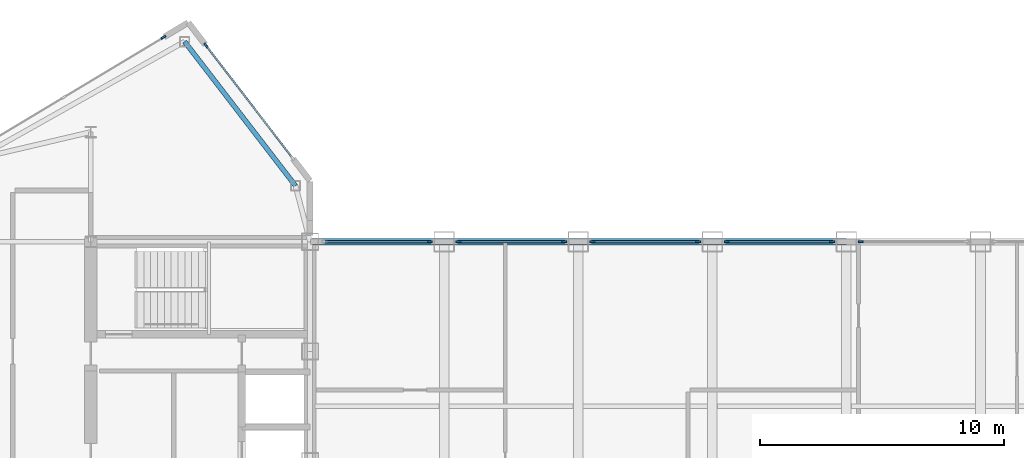
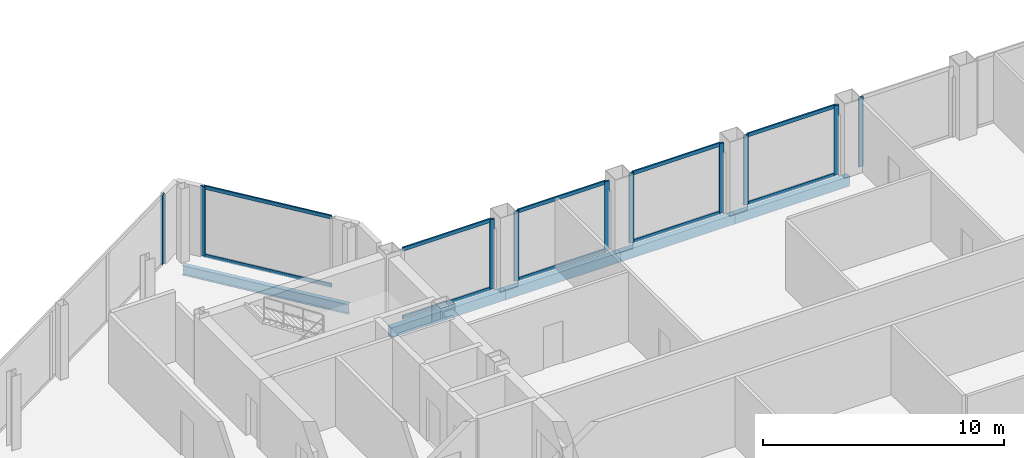
# One storey, part 12 of 29: 20 members, 5 beams, 7 elements without a shape of their own.
"""IFC4 building model written with IfcOpenShell, lengths in metres."""

from ifc_helpers import new_model, si_unit, direction, frame, origin, origin_2d, place, context, subcontext, project, spatial, rectangle, hollow_rectangle, i_section, extrude, source, transform, mapped, material, layer, layer_set, material_profile, profile_set, type_object, type_shapes, element, aggregate, save


model = new_model("IFC4")

# Units and contexts
model_context = context("Model", 3, precision=1e-05, world=origin(), true_north=direction((0.0, 1.0)))
body_context = subcontext(model_context, "Body", "Model", "MODEL_VIEW")
ifc_project = project(units=[si_unit("LENGTHUNIT", "METRE"), si_unit("AREAUNIT", "SQUARE_METRE"), si_unit("VOLUMEUNIT", "CUBIC_METRE"), si_unit("PLANEANGLEUNIT", "RADIAN"), si_unit("MASSUNIT", "GRAM", prefix="KILO")], contexts=[model_context])

# Site, building, storey
site_placement = place(None, origin())
site = spatial("IfcSite", under=ifc_project, at=site_placement, CompositionType="ELEMENT")
building_placement = place(site_placement, origin())
building = spatial("IfcBuilding", under=site, at=building_placement, Name="Seokmaru Belvedere", CompositionType="ELEMENT")
storey_placement = place(building_placement, frame((0.0, 0.0, 246.89990234375)))
storey = spatial("IfcBuildingStorey", under=building, at=storey_placement, Name="L65", CompositionType="ELEMENT", Elevation=246.89990234375)

# Beams
ifc_material_1 = material(Name="Steel SM355 (355 MPa)", Category="steel")
ifc_material_profile_1 = material_profile(ifc_material_1, i_section(OverallWidth=0.199951171875, OverallDepth=0.5, WebThickness=0.010009765625, FlangeThickness=0.01611328125, at=origin_2d()), Name="H-500x200x10x16")
ifc_profile_set_1 = profile_set([ifc_material_profile_1], Name="Steel SM355 (355 MPa)")
beam_type_1 = type_object("IfcBeamType", Name="Perimeter Spandrel Beam H-500", PredefinedType="SPANDREL", material=ifc_profile_set_1)
shared_shape_1 = source(origin(), body_context, "Body", "SweptSolid", [
    extrude(i_section(OverallWidth=0.199951171875, OverallDepth=0.5, WebThickness=0.010009765625, FlangeThickness=0.01611328125, at=origin_2d()), origin(), (0.0, 0.0, 1.0), 7.4619140625),
])
type_shapes(beam_type_1, [shared_shape_1])
beam_placement = place(storey_placement, frame((-32.649658203125, 21.71044921875, -0.469970703125), z_axis=(0.609702854945, -0.792630070507, 0.0), x_axis=(0.792630070507, 0.609702854945, 0.0)))
element("IfcBeam", 1, at=beam_placement, inside=storey, type_object=beam_type_1, Name="L65 W Shoulder Chamfer Spandrel N", PredefinedType="SPANDREL", context=body_context, shape_type="MappedRepresentation", body=[
    mapped(shared_shape_1, transform((0.0, 0.0, 0.0), scale=1.0)),
])
ifc_material_profile_2 = material_profile(ifc_material_1, hollow_rectangle(XDim=0.25, YDim=0.5, WallThickness=0.013916015625, at=origin_2d()), Name="RHS-500x250x14")
ifc_profile_set_2 = profile_set([ifc_material_profile_2], Name="Steel SM355 (355 MPa)")
beam_type_2 = type_object("IfcBeamType", Name="Bridge Edge Spandrel RHS-500", PredefinedType="SPANDREL", material=ifc_profile_set_2)
shared_shape_2 = source(origin(), body_context, "Body", "SweptSolid", [
    extrude(hollow_rectangle(XDim=0.25, YDim=0.5, WallThickness=0.013916015625, at=origin_2d()), origin(), (0.0, 0.0, 1.0), 5.5),
])
type_shapes(beam_type_2, [shared_shape_2])
for number, where, z_axis, x_axis, name in (
    (2, (-27.5, 13.5, -0.469970703125), (1.0, 0.0, 0.0), (0.0, 1.0, 0.0), "L65 Sky-Gate Bridge Edge Girder N-01"),
    (3, (-22.0, 13.5, -0.469970703125), (1.0, 0.0, 0.0), (0.0, 1.0, 0.0), "L65 Sky-Gate Bridge Edge Girder N-02"),
    (4, (-16.5, 13.5, -0.469970703125), (1.0, 0.0, 0.0), (0.0, 1.0, 0.0), "L65 Sky-Gate Bridge Edge Girder N-03"),
    (5, (-11.0, 13.5, -0.469970703125), (1.0, 0.0, 0.0), (0.0, 1.0, 0.0), "L65 Sky-Gate Bridge Edge Girder N-04"),
):
    element("IfcBeam", number, at=place(storey_placement, frame(where, z_axis=z_axis, x_axis=x_axis)), inside=storey, type_object=beam_type_2, Name=name, PredefinedType="SPANDREL", context=body_context, shape_type="MappedRepresentation", body=[
        mapped(shared_shape_2, transform((0.0, 0.0, 0.0), scale=1.0)),
    ])

# Curtain wall, members
ifc_material_2 = material(Name="Bronze Triple Insulating Glass", Category="glass")
ifc_layer = layer(ifc_material_2, 0.219970703125)
ifc_layer_set = layer_set([ifc_layer], Name="Bronze Triple Insulating Glass")
curtain_wall_type = type_object("IfcCurtainWallType", Name="Sky-Gate Bridge Panorama Curtain Wall System CW-6", PredefinedType="NOTDEFINED", material=ifc_layer_set)
curtain_wall_1_placement = place(storey_placement, origin())
curtain_wall_1 = element("IfcCurtainWall", 6, at=curtain_wall_1_placement, inside=storey, type_object=curtain_wall_type, Name="L65 Curtain Wall WF2", PredefinedType="NOTDEFINED")
ifc_material_3 = material(Name="Anodised Bronze Aluminium", Category="aluminium")
ifc_material_profile_3 = material_profile(ifc_material_3, rectangle(XDim=0.074951171875, YDim=0.179931640625, at=origin_2d()), Name="CW-T-75x180")
ifc_profile_set_3 = profile_set([ifc_material_profile_3], Name="Anodised Bronze Aluminium")
member_type_1 = type_object("IfcMemberType", Name="Bronze Unitised Transom 75x180", PredefinedType="USERDEFINED", material=ifc_profile_set_3)
shared_shape_3 = source(origin(), body_context, "Body", "SweptSolid", [
    extrude(rectangle(XDim=0.074951171875, YDim=0.179931640625, at=origin_2d()), origin(), (0.0, 0.0, 1.0), 5.74072265625),
])
member_1_placement = place(storey_placement, frame((-28.25, 16.974853515625, 0.03759765625), z_axis=(-0.609686097287, 0.792642960465, 0.0), x_axis=(-0.792642960465, -0.609686097287, 0.0)))
member_1 = element("IfcMember", 7, at=member_1_placement, type_object=member_type_1, Name="CW:L65:WF2 Continuous Transom 1", ObjectType="TRANSOM", PredefinedType="USERDEFINED", context=body_context, shape_type="MappedRepresentation", body=[
    mapped(shared_shape_3, transform((0.0, 0.0, 0.0), scale=1.0)),
])
member_2_placement = place(storey_placement, frame((-28.25, 16.974853515625, 3.49267578125), z_axis=(-0.609686097287, 0.792642960465, 0.0), x_axis=(-0.792642960465, -0.609686097287, 0.0)))
member_2 = element("IfcMember", 8, at=member_2_placement, type_object=member_type_1, Name="CW:L65:WF2 Continuous Transom 2", ObjectType="TRANSOM", PredefinedType="USERDEFINED", context=body_context, shape_type="MappedRepresentation", body=[
    mapped(shared_shape_3, transform((0.0, 0.0, 0.0), scale=1.0)),
])

curtain_wall_2_placement = place(storey_placement, origin())
curtain_wall_2 = element("IfcCurtainWall", 9, at=curtain_wall_2_placement, inside=storey, type_object=curtain_wall_type, Name="L65 Curtain Wall BR_N01", PredefinedType="NOTDEFINED")
shared_shape_4 = source(origin(), body_context, "Body", "SweptSolid", [
    extrude(rectangle(XDim=0.074951171875, YDim=0.179931640625, at=origin_2d()), origin(), (0.0, 0.0, 1.0), 4.240234375),
])
type_shapes(member_type_1, [shared_shape_3, shared_shape_4])
member_3_placement = place(storey_placement, frame((-22.6298828125, 13.5, 0.03759765625), z_axis=(-1.0, 0.0, 0.0), x_axis=(0.0, -1.0, 0.0)))
member_3 = element("IfcMember", 10, at=member_3_placement, type_object=member_type_1, Name="CW:L65:BR_N01 Continuous Transom 1", ObjectType="TRANSOM", PredefinedType="USERDEFINED", context=body_context, shape_type="MappedRepresentation", body=[
    mapped(shared_shape_4, transform((0.0, 0.0, 0.0), scale=1.0)),
])
member_4_placement = place(storey_placement, frame((-22.6298828125, 13.5, 3.49267578125), z_axis=(-1.0, 0.0, 0.0), x_axis=(0.0, -1.0, 0.0)))
member_4 = element("IfcMember", 11, at=member_4_placement, type_object=member_type_1, Name="CW:L65:BR_N01 Continuous Transom 2", ObjectType="TRANSOM", PredefinedType="USERDEFINED", context=body_context, shape_type="MappedRepresentation", body=[
    mapped(shared_shape_4, transform((0.0, 0.0, 0.0), scale=1.0)),
])

curtain_wall_3_placement = place(storey_placement, origin())
curtain_wall_3 = element("IfcCurtainWall", 12, at=curtain_wall_3_placement, inside=storey, type_object=curtain_wall_type, Name="L65 Curtain Wall BR_N02", PredefinedType="NOTDEFINED")
member_5_placement = place(storey_placement, frame((-17.1298828125, 13.5, 0.03759765625), z_axis=(-1.0, 0.0, 0.0), x_axis=(0.0, -1.0, 0.0)))
member_5 = element("IfcMember", 13, at=member_5_placement, type_object=member_type_1, Name="CW:L65:BR_N02 Continuous Transom 1", ObjectType="TRANSOM", PredefinedType="USERDEFINED", context=body_context, shape_type="MappedRepresentation", body=[
    mapped(shared_shape_4, transform((0.0, 0.0, 0.0), scale=1.0)),
])
member_6_placement = place(storey_placement, frame((-17.1298828125, 13.5, 3.49267578125), z_axis=(-1.0, 0.0, 0.0), x_axis=(0.0, -1.0, 0.0)))
member_6 = element("IfcMember", 14, at=member_6_placement, type_object=member_type_1, Name="CW:L65:BR_N02 Continuous Transom 2", ObjectType="TRANSOM", PredefinedType="USERDEFINED", context=body_context, shape_type="MappedRepresentation", body=[
    mapped(shared_shape_4, transform((0.0, 0.0, 0.0), scale=1.0)),
])

curtain_wall_4_placement = place(storey_placement, origin())
curtain_wall_4 = element("IfcCurtainWall", 15, at=curtain_wall_4_placement, inside=storey, type_object=curtain_wall_type, Name="L65 Curtain Wall BR_N03", PredefinedType="NOTDEFINED")
member_7_placement = place(storey_placement, frame((-11.6298828125, 13.5, 0.03759765625), z_axis=(-1.0, 0.0, 0.0), x_axis=(0.0, -1.0, 0.0)))
member_7 = element("IfcMember", 16, at=member_7_placement, type_object=member_type_1, Name="CW:L65:BR_N03 Continuous Transom 1", ObjectType="TRANSOM", PredefinedType="USERDEFINED", context=body_context, shape_type="MappedRepresentation", body=[
    mapped(shared_shape_4, transform((0.0, 0.0, 0.0), scale=1.0)),
])
member_8_placement = place(storey_placement, frame((-11.6298828125, 13.5, 3.49267578125), z_axis=(-1.0, 0.0, 0.0), x_axis=(0.0, -1.0, 0.0)))
member_8 = element("IfcMember", 17, at=member_8_placement, type_object=member_type_1, Name="CW:L65:BR_N03 Continuous Transom 2", ObjectType="TRANSOM", PredefinedType="USERDEFINED", context=body_context, shape_type="MappedRepresentation", body=[
    mapped(shared_shape_4, transform((0.0, 0.0, 0.0), scale=1.0)),
])

curtain_wall_5_placement = place(storey_placement, origin())
curtain_wall_5 = element("IfcCurtainWall", 18, at=curtain_wall_5_placement, inside=storey, type_object=curtain_wall_type, Name="L65 Curtain Wall BR_N04", PredefinedType="NOTDEFINED")
member_9_placement = place(storey_placement, frame((-6.1298828125, 13.5, 0.03759765625), z_axis=(-1.0, 0.0, 0.0), x_axis=(0.0, -1.0, 0.0)))
member_9 = element("IfcMember", 19, at=member_9_placement, type_object=member_type_1, Name="CW:L65:BR_N04 Continuous Transom 1", ObjectType="TRANSOM", PredefinedType="USERDEFINED", context=body_context, shape_type="MappedRepresentation", body=[
    mapped(shared_shape_4, transform((0.0, 0.0, 0.0), scale=1.0)),
])
member_10_placement = place(storey_placement, frame((-6.1298828125, 13.5, 3.49267578125), z_axis=(-1.0, 0.0, 0.0), x_axis=(0.0, -1.0, 0.0)))
member_10 = element("IfcMember", 20, at=member_10_placement, type_object=member_type_1, Name="CW:L65:BR_N04 Continuous Transom 2", ObjectType="TRANSOM", PredefinedType="USERDEFINED", context=body_context, shape_type="MappedRepresentation", body=[
    mapped(shared_shape_4, transform((0.0, 0.0, 0.0), scale=1.0)),
])

# Member
ifc_material_profile_4 = material_profile(ifc_material_3, rectangle(XDim=0.080078125, YDim=0.219970703125, at=origin_2d()), Name="CW-M-80x220")
ifc_profile_set_4 = profile_set([ifc_material_profile_4], Name="Anodised Bronze Aluminium")
member_type_2 = type_object("IfcMemberType", Name="Bronze Unitised Mullion 80x220", PredefinedType="MULLION", material=ifc_profile_set_4)
shared_shape_5 = source(origin(), body_context, "Body", "SweptSolid", [
    extrude(rectangle(XDim=0.080078125, YDim=0.219970703125, at=origin_2d()), origin(), (0.0, 0.0, 1.0), 3.530029296875),
])
type_shapes(member_type_2, [shared_shape_5])
member_11_placement = place(storey_placement, frame((-31.7744140625, 21.556884765625, 0.0), z_axis=(0.0, 0.0, 1.0), x_axis=(-0.792631353244, -0.609701187349, 0.0)))
member_11 = element("IfcMember", 21, at=member_11_placement, type_object=member_type_2, Name="CW:L65:WF2 Mullion 2", PredefinedType="MULLION", context=body_context, shape_type="MappedRepresentation", body=[
    mapped(shared_shape_5, transform((0.0, 0.0, 0.0), scale=1.0)),
])

aggregate(curtain_wall_1, [member_11, member_1, member_2])

# Curtain wall, member
curtain_wall_6_placement = place(storey_placement, origin())
curtain_wall_6 = element("IfcCurtainWall", 22, at=curtain_wall_6_placement, inside=storey, type_object=curtain_wall_type, Name="L65 Curtain Wall WF3", PredefinedType="NOTDEFINED")
member_12_placement = place(storey_placement, frame((-33.5205078125, 21.8876953125, 0.0), z_axis=(0.0, 0.0, 1.0), x_axis=(0.514494909364, -0.85749343335, 0.0)))
member_12 = element("IfcMember", 23, at=member_12_placement, type_object=member_type_2, Name="CW:L65:WF3 Mullion 1", PredefinedType="MULLION", context=body_context, shape_type="MappedRepresentation", body=[
    mapped(shared_shape_5, transform((0.0, 0.0, 0.0), scale=1.0)),
])
aggregate(curtain_wall_6, [member_12])

# Member
member_13_placement = place(storey_placement, frame((-22.590087890625, 13.5, 0.0), z_axis=(0.0, 0.0, 1.0), x_axis=(0.0, -1.0, 0.0)))
member_13 = element("IfcMember", 24, at=member_13_placement, type_object=member_type_2, Name="CW:L65:BR_N01 Mullion 1", PredefinedType="MULLION", context=body_context, shape_type="MappedRepresentation", body=[
    mapped(shared_shape_5, transform((0.0, 0.0, 0.0), scale=1.0)),
])

aggregate(curtain_wall_2, [member_13, member_3, member_4])

member_14_placement = place(storey_placement, frame((-17.090087890625, 13.5, 0.0), z_axis=(0.0, 0.0, 1.0), x_axis=(0.0, -1.0, 0.0)))
member_14 = element("IfcMember", 25, at=member_14_placement, type_object=member_type_2, Name="CW:L65:BR_N02 Mullion 1", PredefinedType="MULLION", context=body_context, shape_type="MappedRepresentation", body=[
    mapped(shared_shape_5, transform((0.0, 0.0, 0.0), scale=1.0)),
])

member_15_placement = place(storey_placement, frame((-21.409912109375, 13.5, 0.0), z_axis=(0.0, 0.0, 1.0), x_axis=(0.0, -1.0, 0.0)))
member_15 = element("IfcMember", 26, at=member_15_placement, type_object=member_type_2, Name="CW:L65:BR_N02 Mullion 2", PredefinedType="MULLION", context=body_context, shape_type="MappedRepresentation", body=[
    mapped(shared_shape_5, transform((0.0, 0.0, 0.0), scale=1.0)),
])

aggregate(curtain_wall_3, [member_14, member_15, member_5, member_6])

member_16_placement = place(storey_placement, frame((-11.590087890625, 13.5, 0.0), z_axis=(0.0, 0.0, 1.0), x_axis=(0.0, -1.0, 0.0)))
member_16 = element("IfcMember", 27, at=member_16_placement, type_object=member_type_2, Name="CW:L65:BR_N03 Mullion 1", PredefinedType="MULLION", context=body_context, shape_type="MappedRepresentation", body=[
    mapped(shared_shape_5, transform((0.0, 0.0, 0.0), scale=1.0)),
])

member_17_placement = place(storey_placement, frame((-15.909912109375, 13.5, 0.0), z_axis=(0.0, 0.0, 1.0), x_axis=(0.0, -1.0, 0.0)))
member_17 = element("IfcMember", 28, at=member_17_placement, type_object=member_type_2, Name="CW:L65:BR_N03 Mullion 2", PredefinedType="MULLION", context=body_context, shape_type="MappedRepresentation", body=[
    mapped(shared_shape_5, transform((0.0, 0.0, 0.0), scale=1.0)),
])

aggregate(curtain_wall_4, [member_16, member_17, member_7, member_8])

member_18_placement = place(storey_placement, frame((-6.090087890625, 13.5, 0.0), z_axis=(0.0, 0.0, 1.0), x_axis=(0.0, -1.0, 0.0)))
member_18 = element("IfcMember", 29, at=member_18_placement, type_object=member_type_2, Name="CW:L65:BR_N04 Mullion 1", PredefinedType="MULLION", context=body_context, shape_type="MappedRepresentation", body=[
    mapped(shared_shape_5, transform((0.0, 0.0, 0.0), scale=1.0)),
])

member_19_placement = place(storey_placement, frame((-10.409912109375, 13.5, 0.0), z_axis=(0.0, 0.0, 1.0), x_axis=(0.0, -1.0, 0.0)))
member_19 = element("IfcMember", 30, at=member_19_placement, type_object=member_type_2, Name="CW:L65:BR_N04 Mullion 2", PredefinedType="MULLION", context=body_context, shape_type="MappedRepresentation", body=[
    mapped(shared_shape_5, transform((0.0, 0.0, 0.0), scale=1.0)),
])

aggregate(curtain_wall_5, [member_18, member_19, member_9, member_10])

# Curtain wall, member
curtain_wall_7_placement = place(storey_placement, origin())
curtain_wall_7 = element("IfcCurtainWall", 31, at=curtain_wall_7_placement, inside=storey, type_object=curtain_wall_type, Name="L65 Curtain Wall BR_N05", PredefinedType="NOTDEFINED")
member_20_placement = place(storey_placement, frame((-4.909912109375, 13.5, 0.0), z_axis=(0.0, 0.0, 1.0), x_axis=(0.0, -1.0, 0.0)))
member_20 = element("IfcMember", 32, at=member_20_placement, type_object=member_type_2, Name="CW:L65:BR_N05 Mullion 2", PredefinedType="MULLION", context=body_context, shape_type="MappedRepresentation", body=[
    mapped(shared_shape_5, transform((0.0, 0.0, 0.0), scale=1.0)),
])
aggregate(curtain_wall_7, [member_20])

save(model, "model.ifc")
